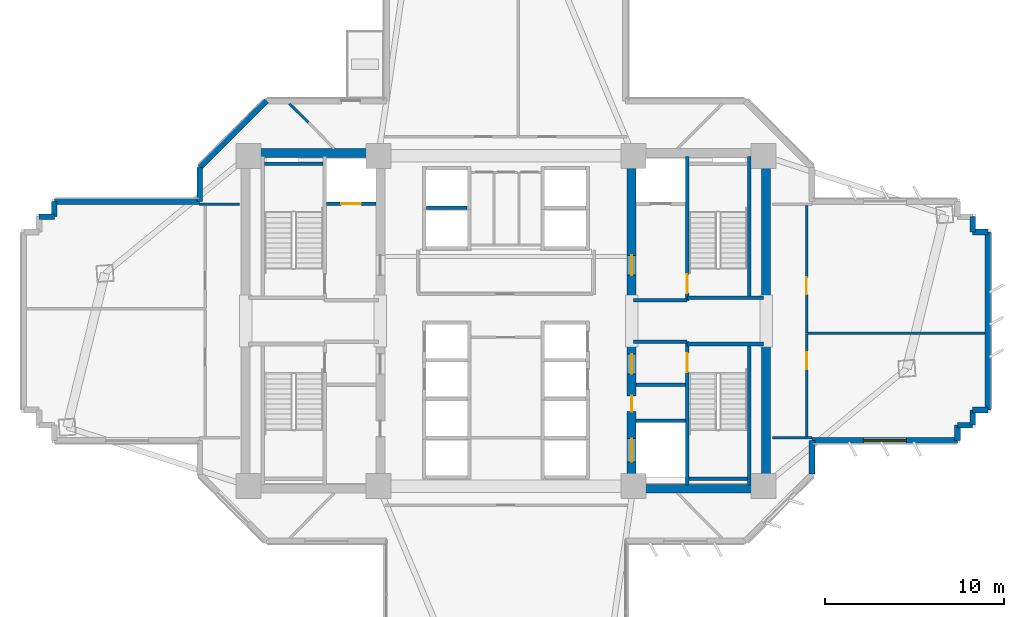
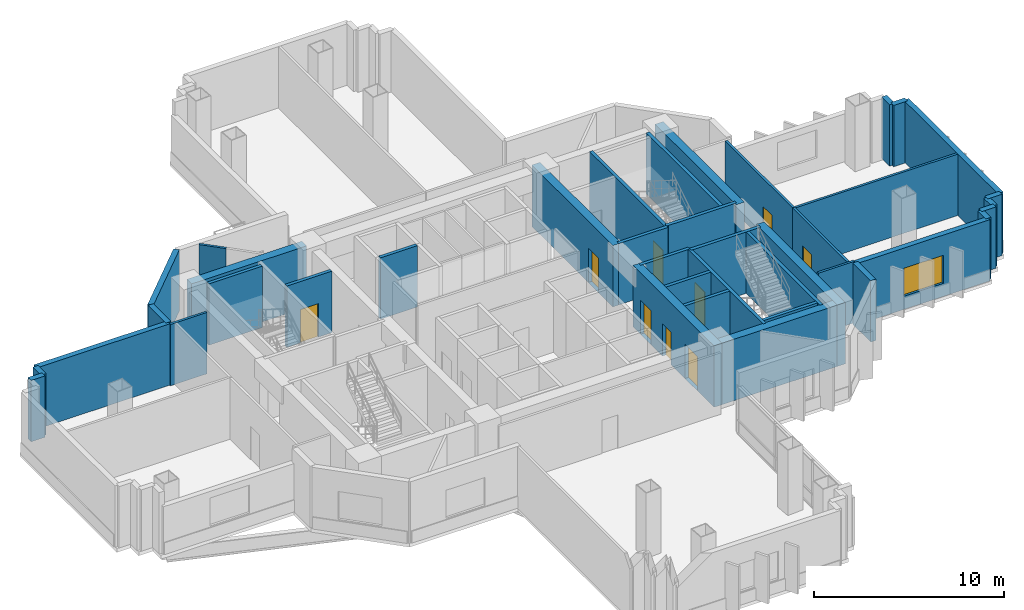
# One storey, part 7 of 14: 40 walls, 9 doors, 1 window, 10 openings.
"""IFC4 building model written with IfcOpenShell, lengths in metres."""

from ifc_helpers import new_model, si_unit, direction, frame, frame_2d, origin, place, context, subcontext, project, spatial, rectangle, extrude, source, transform, mapped, material, layer, layer_set, type_object, element, fill, save


model = new_model("IFC4")

# Units and contexts
model_context = context("Model", 3, precision=1e-05, world=origin(), true_north=direction((0.0, 1.0)))
body_context = subcontext(model_context, "Body", "Model", "MODEL_VIEW")
ifc_project = project(units=[si_unit("LENGTHUNIT", "METRE"), si_unit("AREAUNIT", "SQUARE_METRE"), si_unit("VOLUMEUNIT", "CUBIC_METRE"), si_unit("PLANEANGLEUNIT", "RADIAN"), si_unit("MASSUNIT", "GRAM", prefix="KILO")], contexts=[model_context])

# Site, building, storey
site_placement = place(None, origin())
site = spatial("IfcSite", under=ifc_project, at=site_placement, CompositionType="ELEMENT")
building_placement = place(site_placement, origin())
building = spatial("IfcBuilding", under=site, at=building_placement, Name="Zahravan Cultural Tower", CompositionType="ELEMENT")
storey_placement = place(building_placement, frame((0.0, 0.0, 37.5)))
storey = spatial("IfcBuildingStorey", under=building, at=storey_placement, Name="L07", CompositionType="ELEMENT", Elevation=37.5)

# Wall, openings, doors
ifc_material_1 = material(Name="Concrete C60/75", Category="concrete")
ifc_layer_1 = layer(ifc_material_1, 0.5)
ifc_layer_set_1 = layer_set([ifc_layer_1], Name="Concrete C60/75")
wall_type_1 = type_object("IfcWallType", Name="CW-SHEAR-500-C60", PredefinedType="SHEAR", material=ifc_layer_set_1)
wall_1_placement = place(storey_placement, frame((43.0, 17.39990234375, 0.0), z_axis=(0.0, 0.0, 1.0), x_axis=(0.0, 1.0, 0.0)))
wall_1 = element("IfcWall", 1, at=wall_1_placement, inside=storey, type_object=wall_type_1, Name="L07 Core Shear Wall CW-E-WS-L07", PredefinedType="SHEAR", context=body_context, shape_type="SweptSolid", body=[
    extrude(rectangle(XDim=8.550048828125, YDim=0.5, at=frame_2d((4.27490234375, 0.0))), origin(), (0.0, 0.0, 1.0), 3.949951171875),
])
opening_1_placement = place(wall_1_placement, frame((6.64990234375, 0.0, 0.0)))
opening_1 = element("IfcOpeningElement", 2, at=opening_1_placement, cuts=wall_1, Name="Opening D-L07-08", PredefinedType="OPENING", context=body_context, shape_type="SweptSolid", body=[
    extrude(rectangle(XDim=1.10009765625, YDim=2.199951171875, at=frame_2d((0.550048828125, 1.10009765625))), frame((0.0, 0.260009765625, 0.0), z_axis=(0.0, -1.0, 0.0), x_axis=(1.0, 0.0, 0.0)), (0.0, 0.0, 1.0), 0.52001953125),
])
opening_2_placement = place(wall_1_placement, frame((1.75, 0.0, 0.0)))
opening_2 = element("IfcOpeningElement", 3, at=opening_2_placement, cuts=wall_1, Name="Opening LD-L07-03", PredefinedType="OPENING", context=body_context, shape_type="SweptSolid", body=[
    extrude(rectangle(XDim=1.300048828125, YDim=2.199951171875, at=frame_2d((0.64990234375, 1.10009765625))), frame((0.0, 0.260009765625, 0.0), z_axis=(0.0, -1.0, 0.0), x_axis=(1.0, 0.0, 0.0)), (0.0, 0.0, 1.0), 0.52001953125),
])
opening_3_placement = place(wall_1_placement, frame((4.550048828125, 0.0, 0.0)))
opening_3 = element("IfcOpeningElement", 4, at=opening_3_placement, cuts=wall_1, Name="Opening D-L07-10", PredefinedType="OPENING", context=body_context, shape_type="SweptSolid", body=[
    extrude(rectangle(XDim=0.8798828125, YDim=2.10009765625, at=frame_2d((0.43994140625, 1.050048828125))), frame((0.0, 0.260009765625, 0.0), z_axis=(0.0, -1.0, 0.0), x_axis=(1.0, 0.0, 0.0)), (0.0, 0.0, 1.0), 0.52001953125),
])
ifc_material_2 = material(Name="Steel ASTM A572 Grade 50", Category="steel")
door_type_1 = type_object("IfcDoorType", Name="DR-LOBBY-1100", OperationType="NOTDEFINED", PredefinedType="DOOR", material=ifc_material_2)
shared_shape_1 = source(origin(), body_context, "Body", "SweptSolid", [
    extrude(rectangle(XDim=1.10009765625, YDim=2.199951171875, at=frame_2d((0.550048828125, 1.10009765625))), frame((0.0, 0.02490234375, 0.0), z_axis=(0.0, -1.0, 0.0), x_axis=(1.0, 0.0, 0.0)), (0.0, 0.0, 1.0), 0.050048828125),
])
door_1_placement = place(opening_1_placement, origin())
door_1 = element("IfcDoor", 5, at=door_1_placement, inside=storey, type_object=door_type_1, Name="L07 Door D-L07-08", OperationType="SINGLE_SWING_LEFT", OverallHeight=2.199951171875, OverallWidth=1.10009765625, PredefinedType="DOOR", context=body_context, shape_type="MappedRepresentation", body=[
    mapped(shared_shape_1, transform((0.0, 0.0, 0.0), x_axis=(1.0, 0.0, 0.0), y_axis=(0.0, 1.0, 0.0), z_axis=(0.0, 0.0, 1.0), scale=1.0)),
])
fill(opening_1, door_1)
door_type_2 = type_object("IfcDoorType", Name="DR-LIFT-1300", OperationType="DOUBLE_DOOR_SLIDING", PredefinedType="DOOR", material=ifc_material_2)
shared_shape_2 = source(origin(), body_context, "Body", "SweptSolid", [
    extrude(rectangle(XDim=1.300048828125, YDim=2.199951171875, at=frame_2d((0.64990234375, 1.10009765625))), frame((0.0, 0.02490234375, 0.0), z_axis=(0.0, -1.0, 0.0), x_axis=(1.0, 0.0, 0.0)), (0.0, 0.0, 1.0), 0.050048828125),
])
door_2_placement = place(opening_2_placement, origin())
door_2 = element("IfcDoor", 6, at=door_2_placement, inside=storey, type_object=door_type_2, Name="L07 Door LD-L07-03", OperationType="DOUBLE_DOOR_SLIDING", OverallHeight=2.199951171875, OverallWidth=1.300048828125, PredefinedType="DOOR", context=body_context, shape_type="MappedRepresentation", body=[
    mapped(shared_shape_2, transform((0.0, 0.0, 0.0), x_axis=(1.0, 0.0, 0.0), y_axis=(0.0, 1.0, 0.0), z_axis=(0.0, 0.0, 1.0), scale=1.0)),
])
fill(opening_2, door_2)
door_type_3 = type_object("IfcDoorType", Name="DR-SVC-880", OperationType="NOTDEFINED", PredefinedType="DOOR", material=ifc_material_2)
shared_shape_3 = source(origin(), body_context, "Body", "SweptSolid", [
    extrude(rectangle(XDim=0.8798828125, YDim=2.10009765625, at=frame_2d((0.43994140625, 1.050048828125))), frame((0.0, 0.02490234375, 0.0), z_axis=(0.0, -1.0, 0.0), x_axis=(1.0, 0.0, 0.0)), (0.0, 0.0, 1.0), 0.050048828125),
])
door_3_placement = place(opening_3_placement, origin())
door_3 = element("IfcDoor", 7, at=door_3_placement, inside=storey, type_object=door_type_3, Name="L07 Door D-L07-10", OperationType="SINGLE_SWING_LEFT", OverallHeight=2.10009765625, OverallWidth=0.8798828125, PredefinedType="DOOR", context=body_context, shape_type="MappedRepresentation", body=[
    mapped(shared_shape_3, transform((0.0, 0.0, 0.0), x_axis=(1.0, 0.0, 0.0), y_axis=(0.0, 1.0, 0.0), z_axis=(0.0, 0.0, 1.0), scale=1.0)),
])
fill(opening_3, door_3)

# Wall, opening, door
wall_2_placement = place(storey_placement, frame((43.0, 28.050048828125, 0.0), z_axis=(0.0, 0.0, 1.0), x_axis=(0.0, 1.0, 0.0)))
wall_2 = element("IfcWall", 8, at=wall_2_placement, inside=storey, type_object=wall_type_1, Name="L07 Core Shear Wall CW-E-WN-L07", PredefinedType="SHEAR", context=body_context, shape_type="SweptSolid", body=[
    extrude(rectangle(XDim=8.550048828125, YDim=0.5, at=frame_2d((4.27490234375, 0.0))), origin(), (0.0, 0.0, 1.0), 3.949951171875),
])
opening_4_placement = place(wall_2_placement, frame((1.5, 0.0, 0.0)))
opening_4 = element("IfcOpeningElement", 9, at=opening_4_placement, cuts=wall_2, Name="Opening D-L07-06", PredefinedType="OPENING", context=body_context, shape_type="SweptSolid", body=[
    extrude(rectangle(XDim=1.10009765625, YDim=2.199951171875, at=frame_2d((0.550048828125, 1.10009765625))), frame((0.0, 0.260009765625, 0.0), z_axis=(0.0, -1.0, 0.0), x_axis=(1.0, 0.0, 0.0)), (0.0, 0.0, 1.0), 0.52001953125),
])
door_4_placement = place(opening_4_placement, origin())
door_4 = element("IfcDoor", 10, at=door_4_placement, inside=storey, type_object=door_type_1, Name="L07 Door D-L07-06", OperationType="SINGLE_SWING_LEFT", OverallHeight=2.199951171875, OverallWidth=1.10009765625, PredefinedType="DOOR", context=body_context, shape_type="MappedRepresentation", body=[
    mapped(shared_shape_1, transform((0.0, 0.0, 0.0), x_axis=(1.0, 0.0, 0.0), y_axis=(0.0, 1.0, 0.0), z_axis=(0.0, 0.0, 1.0), scale=1.0)),
])
fill(opening_4, door_4)

# Wall, opening, window
ifc_material_3 = material(Name="Precast concrete C40/50", Category="concrete")
ifc_layer_2 = layer(ifc_material_3, 0.320068359375)
ifc_layer_set_2 = layer_set([ifc_layer_2], Name="Precast concrete C40/50")
wall_type_2 = type_object("IfcWallType", Name="EW-TC-320", PredefinedType="SOLIDWALL", material=ifc_layer_set_2)
wall_3_placement = place(storey_placement, frame((61.159912109375, 20.340087890625, 0.0), z_axis=(0.0, 0.0, 1.0), x_axis=(-1.0, 0.0, 0.0)))
wall_3 = element("IfcWall", 11, at=wall_3_placement, inside=storey, type_object=wall_type_2, Name="L07 Exterior Masonry Frame Wall 11", PredefinedType="SOLIDWALL", context=body_context, shape_type="SweptSolid", body=[
    extrude(rectangle(XDim=8.099853515625, YDim=0.320068359375, at=frame_2d((4.0498046875, 0.0))), origin(), (0.0, 0.0, 1.0), 3.949951171875),
])
opening_5_placement = place(wall_3_placement, frame((2.85009765625, 0.0, 0.85009765625)))
opening_5 = element("IfcOpeningElement", 12, at=opening_5_placement, cuts=wall_3, Name="Opening WN-01", PredefinedType="OPENING", context=body_context, shape_type="SweptSolid", body=[
    extrude(rectangle(XDim=2.39990234375, YDim=1.800048828125, at=frame_2d((1.199951171875, 0.89990234375))), frame((0.0, 0.169921875, 0.0), z_axis=(0.0, -1.0, 0.0), x_axis=(1.0, 0.0, 0.0)), (0.0, 0.0, 1.0), 0.340087890625),
])
ifc_material_4 = material(Name="Low-E solar-control double glazing", Category="glass")
window_type = type_object("IfcWindowType", Name="WN-REC-2400X1800", PartitioningType="DOUBLE_PANEL_VERTICAL", PredefinedType="WINDOW", material=ifc_material_4)
shared_shape_4 = source(origin(), body_context, "Body", "SweptSolid", [
    extrude(rectangle(XDim=2.39990234375, YDim=1.800048828125, at=frame_2d((1.199951171875, 0.89990234375))), frame((0.0, 0.030029296875, 0.0), z_axis=(0.0, -1.0, 0.0), x_axis=(1.0, 0.0, 0.0)), (0.0, 0.0, 1.0), 0.06005859375),
])
window_placement = place(opening_5_placement, origin())
window = element("IfcWindow", 13, at=window_placement, inside=storey, type_object=window_type, Name="L07 Recessed Solar Window 02", OverallHeight=1.800048828125, OverallWidth=2.39990234375, PartitioningType="DOUBLE_PANEL_VERTICAL", PredefinedType="WINDOW", context=body_context, shape_type="MappedRepresentation", body=[
    mapped(shared_shape_4, transform((0.0, 0.0, 0.0), x_axis=(1.0, 0.0, 0.0), y_axis=(0.0, 1.0, 0.0), z_axis=(0.0, 0.0, 1.0), scale=1.0)),
])
fill(opening_5, window)

# Wall, opening, door
ifc_material_5 = material(Name="Gypsum plasterboard partition")
ifc_layer_3 = layer(ifc_material_5, 0.139892578125)
ifc_layer_set_3 = layer_set([ifc_layer_3], Name="Gypsum plasterboard partition")
wall_type_3 = type_object("IfcWallType", Name="W-PART-140", PredefinedType="PARTITIONING", material=ifc_layer_set_3)
wall_4_placement = place(storey_placement, frame((52.75, 20.574951171875, 0.0), z_axis=(0.0, 0.0, 1.0), x_axis=(0.0, 1.0, 0.0)))
wall_4 = element("IfcWall", 14, at=wall_4_placement, inside=storey, type_object=wall_type_3, Name="L07 Interior Wall 085", PredefinedType="PARTITIONING", context=body_context, shape_type="SweptSolid", body=[
    extrude(rectangle(XDim=5.735107421875, YDim=0.139892578125, at=frame_2d((2.86767578125, 0.0))), origin(), (0.0, 0.0, 1.0), 3.949951171875),
])
opening_6_placement = place(wall_4_placement, frame((3.732421875, 0.0, 0.0)))
opening_6 = element("IfcOpeningElement", 15, at=opening_6_placement, cuts=wall_4, Name="Opening D-L07-16", PredefinedType="OPENING", context=body_context, shape_type="SweptSolid", body=[
    extrude(rectangle(XDim=0.949951171875, YDim=2.14990234375, at=frame_2d((0.47509765625, 1.074951171875))), frame((0.0, 0.079833984375, 0.0), z_axis=(0.0, -1.0, 0.0), x_axis=(1.0, 0.0, 0.0)), (0.0, 0.0, 1.0), 0.159912109375),
])
ifc_material_6 = material(Name="Anodised bronze-aluminium mullion", Category="aluminium")
door_type_4 = type_object("IfcDoorType", Name="DR-ROOM-950", OperationType="NOTDEFINED", PredefinedType="DOOR", material=ifc_material_6)
shared_shape_5 = source(origin(), body_context, "Body", "SweptSolid", [
    extrude(rectangle(XDim=0.949951171875, YDim=2.14990234375, at=frame_2d((0.47509765625, 1.074951171875))), frame((0.0, 0.02490234375, 0.0), z_axis=(0.0, -1.0, 0.0), x_axis=(1.0, 0.0, 0.0)), (0.0, 0.0, 1.0), 0.050048828125),
])
door_5_placement = place(opening_6_placement, origin())
door_5 = element("IfcDoor", 16, at=door_5_placement, inside=storey, type_object=door_type_4, Name="L07 Door D-L07-16", OperationType="SINGLE_SWING_LEFT", OverallHeight=2.14990234375, OverallWidth=0.949951171875, PredefinedType="DOOR", context=body_context, shape_type="MappedRepresentation", body=[
    mapped(shared_shape_5, transform((0.0, 0.0, 0.0), x_axis=(1.0, 0.0, 0.0), y_axis=(0.0, 1.0, 0.0), z_axis=(0.0, 0.0, 1.0), scale=1.0)),
])
fill(opening_6, door_5)

wall_5_placement = place(storey_placement, frame((52.75, 26.330078125, 0.0), z_axis=(0.0, 0.0, 1.0), x_axis=(-0.000137660459, 0.999999990525, 0.0)))
wall_5 = element("IfcWall", 17, at=wall_5_placement, inside=storey, type_object=wall_type_3, Name="L07 Interior Wall 090", PredefinedType="PARTITIONING", context=body_context, shape_type="SweptSolid", body=[
    extrude(rectangle(XDim=7.093994140625, YDim=0.139892578125, at=frame_2d((3.546875, 0.0))), origin(), (0.0, 0.0, 1.0), 3.949951171875),
])
opening_7_placement = place(wall_5_placement, frame((2.150390625, 0.0, 0.0)))
opening_7 = element("IfcOpeningElement", 18, at=opening_7_placement, cuts=wall_5, Name="Opening D-L07-17", PredefinedType="OPENING", context=body_context, shape_type="SweptSolid", body=[
    extrude(rectangle(XDim=0.949951171875, YDim=2.14990234375, at=frame_2d((0.47509765625, 1.074951171875))), frame((0.0, 0.079833984375, 0.0), z_axis=(0.0, -1.0, 0.0), x_axis=(1.0, 0.0, 0.0)), (0.0, 0.0, 1.0), 0.159912109375),
])
door_6_placement = place(opening_7_placement, origin())
door_6 = element("IfcDoor", 19, at=door_6_placement, inside=storey, type_object=door_type_4, Name="L07 Door D-L07-17", OperationType="SINGLE_SWING_RIGHT", OverallHeight=2.14990234375, OverallWidth=0.949951171875, PredefinedType="DOOR", context=body_context, shape_type="MappedRepresentation", body=[
    mapped(shared_shape_5, transform((0.0, 0.0, 0.0), x_axis=(1.0, 0.0, 0.0), y_axis=(0.0, 1.0, 0.0), z_axis=(0.0, 0.0, 1.0), scale=1.0)),
])
fill(opening_7, door_6)

ifc_material_7 = material(Name="Concrete C45/55", Category="concrete")
ifc_layer_4 = layer(ifc_material_7, 0.199951171875)
ifc_layer_set_4 = layer_set([ifc_layer_4], Name="Concrete C45/55")
wall_type_4 = type_object("IfcWallType", Name="W-SHAFT-200", PredefinedType="SOLIDWALL", material=ifc_layer_set_4)
wall_6_placement = place(storey_placement, frame((46.10009765625, 17.85009765625, 0.0), z_axis=(0.0, 0.0, 1.0), x_axis=(0.0, 1.0, 0.0)))
wall_6 = element("IfcWall", 20, at=wall_6_placement, inside=storey, type_object=wall_type_4, Name="L07 Interior Wall 007", PredefinedType="SOLIDWALL", context=body_context, shape_type="SweptSolid", body=[
    extrude(rectangle(XDim=8.0, YDim=0.199951171875, at=frame_2d((4.0, 0.0))), origin(), (0.0, 0.0, 1.0), 3.949951171875),
])
opening_8_placement = place(wall_6_placement, frame((6.300048828125, 0.0, 0.0)))
opening_8 = element("IfcOpeningElement", 21, at=opening_8_placement, cuts=wall_6, Name="Opening D-L07-03", PredefinedType="OPENING", context=body_context, shape_type="SweptSolid", body=[
    extrude(rectangle(XDim=1.050048828125, YDim=2.14990234375, at=frame_2d((0.52490234375, 1.074951171875))), frame((0.0, 0.10986328125, 0.0), z_axis=(0.0, -1.0, 0.0), x_axis=(1.0, 0.0, 0.0)), (0.0, 0.0, 1.0), 0.219970703125),
])
door_type_5 = type_object("IfcDoorType", Name="DR-STAIR-1050", OperationType="NOTDEFINED", PredefinedType="DOOR", material=ifc_material_2)
shared_shape_6 = source(origin(), body_context, "Body", "SweptSolid", [
    extrude(rectangle(XDim=1.050048828125, YDim=2.14990234375, at=frame_2d((0.52490234375, 1.074951171875))), frame((0.0, 0.02490234375, 0.0), z_axis=(0.0, -1.0, 0.0), x_axis=(1.0, 0.0, 0.0)), (0.0, 0.0, 1.0), 0.050048828125),
])
door_7_placement = place(opening_8_placement, origin())
door_7 = element("IfcDoor", 22, at=door_7_placement, inside=storey, type_object=door_type_5, Name="L07 Door D-L07-03", OperationType="SINGLE_SWING_RIGHT", OverallHeight=2.14990234375, OverallWidth=1.050048828125, PredefinedType="DOOR", context=body_context, shape_type="MappedRepresentation", body=[
    mapped(shared_shape_6, transform((0.0, 0.0, 0.0), x_axis=(1.0, 0.0, 0.0), y_axis=(0.0, 1.0, 0.0), z_axis=(0.0, 0.0, 1.0), scale=1.0)),
])
fill(opening_8, door_7)

wall_7_placement = place(storey_placement, frame((46.10009765625, 28.14990234375, 0.0), z_axis=(0.0, 0.0, 1.0), x_axis=(0.0, 1.0, 0.0)))
wall_7 = element("IfcWall", 23, at=wall_7_placement, inside=storey, type_object=wall_type_4, Name="L07 Interior Wall 008", PredefinedType="SOLIDWALL", context=body_context, shape_type="SweptSolid", body=[
    extrude(rectangle(XDim=8.0, YDim=0.199951171875, at=frame_2d((4.0, 0.0))), origin(), (0.0, 0.0, 1.0), 3.949951171875),
])
opening_9_placement = place(wall_7_placement, frame((0.39990234375, 0.0, 0.0)))
opening_9 = element("IfcOpeningElement", 24, at=opening_9_placement, cuts=wall_7, Name="Opening D-L07-02", PredefinedType="OPENING", context=body_context, shape_type="SweptSolid", body=[
    extrude(rectangle(XDim=1.050048828125, YDim=2.14990234375, at=frame_2d((0.52490234375, 1.074951171875))), frame((0.0, 0.10986328125, 0.0), z_axis=(0.0, -1.0, 0.0), x_axis=(1.0, 0.0, 0.0)), (0.0, 0.0, 1.0), 0.219970703125),
])
door_8_placement = place(opening_9_placement, origin())
door_8 = element("IfcDoor", 25, at=door_8_placement, inside=storey, type_object=door_type_5, Name="L07 Door D-L07-02", OperationType="SINGLE_SWING_LEFT", OverallHeight=2.14990234375, OverallWidth=1.050048828125, PredefinedType="DOOR", context=body_context, shape_type="MappedRepresentation", body=[
    mapped(shared_shape_6, transform((0.0, 0.0, 0.0), x_axis=(1.0, 0.0, 0.0), y_axis=(0.0, 1.0, 0.0), z_axis=(0.0, 0.0, 1.0), scale=1.0)),
])
fill(opening_9, door_8)

wall_8_placement = place(storey_placement, frame((26.0, 33.52001953125, 0.0), z_axis=(0.0, 0.0, 1.0), x_axis=(1.0, 0.0, 0.0)))
wall_8 = element("IfcWall", 26, at=wall_8_placement, inside=storey, type_object=wall_type_4, Name="L07 Interior Wall 021", PredefinedType="SOLIDWALL", context=body_context, shape_type="SweptSolid", body=[
    extrude(rectangle(XDim=2.75, YDim=0.199951171875, at=frame_2d((1.375, 0.0))), origin(), (0.0, 0.0, 1.0), 3.949951171875),
])
opening_10_placement = place(wall_8_placement, frame((0.820068359375, 0.0, 0.0)))
opening_10 = element("IfcOpeningElement", 27, at=opening_10_placement, cuts=wall_8, Name="Opening LD-L07-01", PredefinedType="OPENING", context=body_context, shape_type="SweptSolid", body=[
    extrude(rectangle(XDim=1.10009765625, YDim=2.14990234375, at=frame_2d((0.550048828125, 1.074951171875))), frame((0.0, 0.10986328125, 0.0), z_axis=(0.0, -1.0, 0.0), x_axis=(1.0, 0.0, 0.0)), (0.0, 0.0, 1.0), 0.219970703125),
])
door_type_6 = type_object("IfcDoorType", Name="DR-LIFT-1100", OperationType="DOUBLE_DOOR_SLIDING", PredefinedType="DOOR", material=ifc_material_2)
shared_shape_7 = source(origin(), body_context, "Body", "SweptSolid", [
    extrude(rectangle(XDim=1.10009765625, YDim=2.14990234375, at=frame_2d((0.550048828125, 1.074951171875))), frame((0.0, 0.02490234375, 0.0), z_axis=(0.0, -1.0, 0.0), x_axis=(1.0, 0.0, 0.0)), (0.0, 0.0, 1.0), 0.050048828125),
])
door_9_placement = place(opening_10_placement, origin())
door_9 = element("IfcDoor", 28, at=door_9_placement, inside=storey, type_object=door_type_6, Name="L07 Door LD-L07-01", OperationType="DOUBLE_DOOR_SLIDING", OverallHeight=2.14990234375, OverallWidth=1.10009765625, PredefinedType="DOOR", context=body_context, shape_type="MappedRepresentation", body=[
    mapped(shared_shape_7, transform((0.0, 0.0, 0.0), x_axis=(1.0, 0.0, 0.0), y_axis=(0.0, 1.0, 0.0), z_axis=(0.0, 0.0, 1.0), scale=1.0)),
])
fill(opening_10, door_9)

# Walls
shared_shape_8 = source(origin(), body_context, "Body", "SweptSolid", [
    extrude(rectangle(XDim=8.550048828125, YDim=0.5, at=frame_2d((4.27490234375, 0.0))), origin(), (0.0, 0.0, 1.0), 3.949951171875),
])
for number, where, z_axis, x_axis, name in (
    (29, (50.5, 17.39990234375, 0.0), (0.0, 0.0, 1.0), (0.0, 1.0, 0.0), "L07 Core Shear Wall CW-E-ES-L07"),
    (30, (50.5, 28.050048828125, 0.0), (0.0, 0.0, 1.0), (0.0, 1.0, 0.0), "L07 Core Shear Wall CW-E-EN-L07"),
):
    element("IfcWall", number, at=place(storey_placement, frame(where, z_axis=z_axis, x_axis=x_axis)), inside=storey, type_object=wall_type_1, Name=name, PredefinedType="SHEAR", context=body_context, shape_type="MappedRepresentation", body=[
        mapped(shared_shape_8, transform((0.0, 0.0, 0.0), x_axis=(1.0, 0.0, 0.0), y_axis=(0.0, 1.0, 0.0), z_axis=(0.0, 0.0, 1.0), scale=1.0)),
    ])
shared_shape_9 = source(origin(), body_context, "Body", "SweptSolid", [
    extrude(rectangle(XDim=7.0, YDim=0.5, at=frame_2d((3.5, 0.0))), origin(), (0.0, 0.0, 1.0), 3.949951171875),
])
for number, where, z_axis, x_axis, name in (
    (31, (21.75, 36.35009765625, 0.0), (0.0, 0.0, 1.0), (1.0, 0.0, 0.0), "L07 Core Shear Wall CW-W-N-L07"),
    (32, (43.25, 17.64990234375, 0.0), (0.0, 0.0, 1.0), (1.0, 0.0, 0.0), "L07 Core Shear Wall CW-E-S-L07"),
):
    element("IfcWall", number, at=place(storey_placement, frame(where, z_axis=z_axis, x_axis=x_axis)), inside=storey, type_object=wall_type_1, Name=name, PredefinedType="SHEAR", context=body_context, shape_type="MappedRepresentation", body=[
        mapped(shared_shape_9, transform((0.0, 0.0, 0.0), x_axis=(1.0, 0.0, 0.0), y_axis=(0.0, 1.0, 0.0), z_axis=(0.0, 0.0, 1.0), scale=1.0)),
    ])
shared_shape_10 = source(origin(), body_context, "Body", "SweptSolid", [
    extrude(rectangle(XDim=0.849853515625, YDim=0.320068359375, at=frame_2d((0.4248046875, 0.0))), origin(), (0.0, 0.0, 1.0), 3.949951171875),
])
for number, where, z_axis, x_axis, name in (
    (33, (61.159912109375, 21.18994140625, 0.0), (0.0, 0.0, 1.0), (0.0, -1.0, 0.0), "L07 Exterior Masonry Frame Wall 10"),
    (34, (10.840087890625, 32.81005859375, 0.0), (0.0, 0.0, 1.0), (0.0, 1.0, 0.0), "L07 Exterior Masonry Frame Wall 36"),
):
    element("IfcWall", number, at=place(storey_placement, frame(where, z_axis=z_axis, x_axis=x_axis)), inside=storey, type_object=wall_type_2, Name=name, PredefinedType="SOLIDWALL", context=body_context, shape_type="MappedRepresentation", body=[
        mapped(shared_shape_10, transform((0.0, 0.0, 0.0), x_axis=(1.0, 0.0, 0.0), y_axis=(0.0, 1.0, 0.0), z_axis=(0.0, 0.0, 1.0), scale=1.0)),
    ])
shared_shape_11 = source(origin(), body_context, "Body", "SweptSolid", [
    extrude(rectangle(XDim=0.85009765625, YDim=0.320068359375, at=frame_2d((0.425048828125, 0.0))), origin(), (0.0, 0.0, 1.0), 3.949951171875),
])
for number, where, z_axis, x_axis, name in (
    (35, (62.010009765625, 32.81005859375, 0.0), (0.0, 0.0, 1.0), (0.0, -1.0, 0.0), "L07 Exterior Masonry Frame Wall 04"),
    (36, (62.010009765625, 31.9599609375, 0.0), (0.0, 0.0, 1.0), (1.0, 0.0, 0.0), "L07 Exterior Masonry Frame Wall 05"),
    (37, (62.860107421875, 22.0400390625, 0.0), (0.0, 0.0, 1.0), (-1.0, 0.0, 0.0), "L07 Exterior Masonry Frame Wall 07"),
    (38, (62.010009765625, 22.0400390625, 0.0), (0.0, 0.0, 1.0), (0.0, -1.0, 0.0), "L07 Exterior Masonry Frame Wall 08"),
    (39, (62.010009765625, 21.18994140625, 0.0), (0.0, 0.0, 1.0), (-1.0, 0.0, 0.0), "L07 Exterior Masonry Frame Wall 09"),
    (40, (9.989990234375, 32.81005859375, 0.0), (0.0, 0.0, 1.0), (1.0, 0.0, 0.0), "L07 Exterior Masonry Frame Wall 35"),
):
    element("IfcWall", number, at=place(storey_placement, frame(where, z_axis=z_axis, x_axis=x_axis)), inside=storey, type_object=wall_type_2, Name=name, PredefinedType="SOLIDWALL", context=body_context, shape_type="MappedRepresentation", body=[
        mapped(shared_shape_11, transform((0.0, 0.0, 0.0), x_axis=(1.0, 0.0, 0.0), y_axis=(0.0, 1.0, 0.0), z_axis=(0.0, 0.0, 1.0), scale=1.0)),
    ])
shared_shape_12 = source(origin(), body_context, "Body", "SweptSolid", [
    extrude(rectangle(XDim=9.919921875, YDim=0.320068359375, at=frame_2d((4.9599609375, 0.0))), origin(), (0.0, 0.0, 1.0), 3.949951171875),
])
wall_9_placement = place(storey_placement, frame((62.860107421875, 31.9599609375, 0.0), z_axis=(0.0, 0.0, 1.0), x_axis=(0.0, -1.0, 0.0)))
element("IfcWall", 41, at=wall_9_placement, inside=storey, type_object=wall_type_2, Name="L07 Exterior Masonry Frame Wall 06", PredefinedType="SOLIDWALL", context=body_context, shape_type="MappedRepresentation", body=[
    mapped(shared_shape_12, transform((0.0, 0.0, 0.0), x_axis=(1.0, 0.0, 0.0), y_axis=(0.0, 1.0, 0.0), z_axis=(0.0, 0.0, 1.0), scale=1.0)),
])
shared_shape_13 = source(origin(), body_context, "Body", "SweptSolid", [
    extrude(rectangle(XDim=1.882080078125, YDim=0.320068359375, at=frame_2d((0.94091796875, 0.0))), origin(), (0.0, 0.0, 1.0), 3.949951171875),
])
for number, where, z_axis, x_axis, name in (
    (42, (53.06005859375, 20.340087890625, 0.0), (0.0, 0.0, 1.0), (0.0, -1.0, 0.0), "L07 Exterior Masonry Frame Wall 12"),
    (43, (18.93994140625, 33.659912109375, 0.0), (0.0, 0.0, 1.0), (0.0, 1.0, 0.0), "L07 Exterior Masonry Frame Wall 38"),
):
    element("IfcWall", number, at=place(storey_placement, frame(where, z_axis=z_axis, x_axis=x_axis)), inside=storey, type_object=wall_type_2, Name=name, PredefinedType="SOLIDWALL", context=body_context, shape_type="MappedRepresentation", body=[
        mapped(shared_shape_13, transform((0.0, 0.0, 0.0), x_axis=(1.0, 0.0, 0.0), y_axis=(0.0, 1.0, 0.0), z_axis=(0.0, 0.0, 1.0), scale=1.0)),
    ])
shared_shape_14 = source(origin(), body_context, "Body", "SweptSolid", [
    extrude(rectangle(XDim=8.099853515625, YDim=0.320068359375, at=frame_2d((4.0498046875, 0.0))), origin(), (0.0, 0.0, 1.0), 3.949951171875),
])
wall_10_placement = place(storey_placement, frame((10.840087890625, 33.659912109375, 0.0), z_axis=(0.0, 0.0, 1.0), x_axis=(1.0, 0.0, 0.0)))
element("IfcWall", 44, at=wall_10_placement, inside=storey, type_object=wall_type_2, Name="L07 Exterior Masonry Frame Wall 37", PredefinedType="SOLIDWALL", context=body_context, shape_type="MappedRepresentation", body=[
    mapped(shared_shape_14, transform((0.0, 0.0, 0.0), x_axis=(1.0, 0.0, 0.0), y_axis=(0.0, 1.0, 0.0), z_axis=(0.0, 0.0, 1.0), scale=1.0)),
])
shared_shape_15 = source(origin(), body_context, "Body", "SweptSolid", [
    extrude(rectangle(XDim=5.258056640625, YDim=0.320068359375, at=frame_2d((2.62890625, 0.0))), origin(), (0.0, 0.0, 1.0), 3.949951171875),
])
wall_11_placement = place(storey_placement, frame((18.93994140625, 35.5419921875, 0.0), z_axis=(0.0, 0.0, 1.0), x_axis=(0.707106781187, 0.707106781187, 0.0)))
element("IfcWall", 45, at=wall_11_placement, inside=storey, type_object=wall_type_2, Name="L07 Exterior Masonry Frame Wall 39", PredefinedType="SOLIDWALL", context=body_context, shape_type="MappedRepresentation", body=[
    mapped(shared_shape_15, transform((0.0, 0.0, 0.0), x_axis=(1.0, 0.0, 0.0), y_axis=(0.0, 1.0, 0.0), z_axis=(0.0, 0.0, 1.0), scale=1.0)),
])
shared_shape_16 = source(origin(), body_context, "Body", "SweptSolid", [
    extrude(rectangle(XDim=7.869873046875, YDim=0.199951171875, at=frame_2d((3.93505859375, 0.0))), origin(), (0.0, 0.0, 1.0), 3.949951171875),
])
for number, where, z_axis, x_axis, name in (
    (46, (49.550048828125, 17.85009765625, 0.0), (0.0, 0.0, 1.0), (0.0, 1.0, 0.0), "L07 Interior Wall 003"),
    (47, (49.550048828125, 28.280029296875, 0.0), (0.0, 0.0, 1.0), (0.0, 1.0, 0.0), "L07 Interior Wall 004"),
):
    element("IfcWall", number, at=place(storey_placement, frame(where, z_axis=z_axis, x_axis=x_axis)), inside=storey, type_object=wall_type_4, Name=name, PredefinedType="SOLIDWALL", context=body_context, shape_type="MappedRepresentation", body=[
        mapped(shared_shape_16, transform((0.0, 0.0, 0.0), x_axis=(1.0, 0.0, 0.0), y_axis=(0.0, 1.0, 0.0), z_axis=(0.0, 0.0, 1.0), scale=1.0)),
    ])
shared_shape_17 = source(origin(), body_context, "Body", "SweptSolid", [
    extrude(rectangle(XDim=4.25, YDim=0.199951171875, at=frame_2d((2.125, 0.0))), origin(), (0.0, 0.0, 1.0), 3.949951171875),
])
for number, where, z_axis, x_axis, name in (
    (48, (46.10009765625, 25.715087890625, 0.0), (0.0, 0.0, 1.0), (1.0, 0.0, 0.0), "L07 Interior Wall 014"),
    (49, (46.10009765625, 28.284912109375, 0.0), (0.0, 0.0, 1.0), (1.0, 0.0, 0.0), "L07 Interior Wall 016"),
):
    element("IfcWall", number, at=place(storey_placement, frame(where, z_axis=z_axis, x_axis=x_axis)), inside=storey, type_object=wall_type_4, Name=name, PredefinedType="SOLIDWALL", context=body_context, shape_type="MappedRepresentation", body=[
        mapped(shared_shape_17, transform((0.0, 0.0, 0.0), x_axis=(1.0, 0.0, 0.0), y_axis=(0.0, 1.0, 0.0), z_axis=(0.0, 0.0, 1.0), scale=1.0)),
    ])
shared_shape_18 = source(origin(), body_context, "Body", "SweptSolid", [
    extrude(rectangle(XDim=3.0, YDim=0.199951171875, at=frame_2d((1.5, 0.0))), origin(), (0.0, 0.0, 1.0), 3.949951171875),
])
for number, where, z_axis, x_axis, name in (
    (50, (43.10009765625, 25.85009765625, 0.0), (0.0, 0.0, 1.0), (1.0, 0.0, 0.0), "L07 Interior Wall 013"),
    (51, (43.10009765625, 28.14990234375, 0.0), (0.0, 0.0, 1.0), (1.0, 0.0, 0.0), "L07 Interior Wall 015"),
):
    element("IfcWall", number, at=place(storey_placement, frame(where, z_axis=z_axis, x_axis=x_axis)), inside=storey, type_object=wall_type_4, Name=name, PredefinedType="SOLIDWALL", context=body_context, shape_type="MappedRepresentation", body=[
        mapped(shared_shape_18, transform((0.0, 0.0, 0.0), x_axis=(1.0, 0.0, 0.0), y_axis=(0.0, 1.0, 0.0), z_axis=(0.0, 0.0, 1.0), scale=1.0)),
    ])
shared_shape_19 = source(origin(), body_context, "Body", "SweptSolid", [
    extrude(rectangle(XDim=3.25, YDim=0.199951171875, at=frame_2d((1.625, 0.0))), origin(), (0.0, 0.0, 1.0), 3.949951171875),
])
for number, where, z_axis, x_axis, name in (
    (52, (22.550048828125, 35.75, 0.0), (0.0, 0.0, 1.0), (1.0, 0.0, 0.0), "L07 Interior Wall 017"),
    (53, (46.199951171875, 18.199951171875, 0.0), (0.0, 0.0, 1.0), (1.0, 0.0, 0.0), "L07 Interior Wall 020"),
):
    element("IfcWall", number, at=place(storey_placement, frame(where, z_axis=z_axis, x_axis=x_axis)), inside=storey, type_object=wall_type_4, Name=name, PredefinedType="SOLIDWALL", context=body_context, shape_type="MappedRepresentation", body=[
        mapped(shared_shape_19, transform((0.0, 0.0, 0.0), x_axis=(1.0, 0.0, 0.0), y_axis=(0.0, 1.0, 0.0), z_axis=(0.0, 0.0, 1.0), scale=1.0)),
    ])
shared_shape_20 = source(origin(), body_context, "Body", "SweptSolid", [
    extrude(rectangle(XDim=2.75, YDim=0.199951171875, at=frame_2d((1.375, 0.0))), origin(), (0.0, 0.0, 1.0), 3.949951171875),
])
for number, where, z_axis, x_axis, name in (
    (54, (43.25, 23.449951171875, 0.0), (0.0, 0.0, 1.0), (1.0, 0.0, 0.0), "L07 Interior Wall 024"),
    (55, (43.25, 21.449951171875, 0.0), (0.0, 0.0, 1.0), (1.0, 0.0, 0.0), "L07 Interior Wall 025"),
):
    element("IfcWall", number, at=place(storey_placement, frame(where, z_axis=z_axis, x_axis=x_axis)), inside=storey, type_object=wall_type_4, Name=name, PredefinedType="SOLIDWALL", context=body_context, shape_type="MappedRepresentation", body=[
        mapped(shared_shape_20, transform((0.0, 0.0, 0.0), x_axis=(1.0, 0.0, 0.0), y_axis=(0.0, 1.0, 0.0), z_axis=(0.0, 0.0, 1.0), scale=1.0)),
    ])
shared_shape_21 = source(origin(), body_context, "Body", "SweptSolid", [
    extrude(rectangle(XDim=2.260009765625, YDim=0.199951171875, at=frame_2d((1.1298828125, 0.0))), origin(), (0.0, 0.0, 1.0), 3.949951171875),
])
wall_12_placement = place(storey_placement, frame((31.570068359375, 33.300048828125, 0.0), z_axis=(0.0, 0.0, 1.0), x_axis=(1.0, 0.0, 0.0)))
element("IfcWall", 56, at=wall_12_placement, inside=storey, type_object=wall_type_4, Name="L07 Interior Wall 028", PredefinedType="SOLIDWALL", context=body_context, shape_type="MappedRepresentation", body=[
    mapped(shared_shape_21, transform((0.0, 0.0, 0.0), x_axis=(1.0, 0.0, 0.0), y_axis=(0.0, 1.0, 0.0), z_axis=(0.0, 0.0, 1.0), scale=1.0)),
])
shared_shape_22 = source(origin(), body_context, "Body", "SweptSolid", [
    extrude(rectangle(XDim=1.471435546875, YDim=0.139892578125, at=frame_2d((0.73583984375, 0.0))), origin(), (0.0, 0.0, 1.0), 3.949951171875),
])
wall_13_placement = place(storey_placement, frame((23.944580078125, 39.094970703125, 0.0), z_axis=(0.0, 0.0, 1.0), x_axis=(0.710417151562, -0.703780840011, 0.0)))
element("IfcWall", 57, at=wall_13_placement, inside=storey, type_object=wall_type_3, Name="L07 Interior Wall 081", PredefinedType="PARTITIONING", context=body_context, shape_type="MappedRepresentation", body=[
    mapped(shared_shape_22, transform((0.0, 0.0, 0.0), x_axis=(1.0, 0.0, 0.0), y_axis=(0.0, 1.0, 0.0), z_axis=(0.0, 0.0, 1.0), scale=1.0)),
])
shared_shape_23 = source(origin(), body_context, "Body", "SweptSolid", [
    extrude(rectangle(XDim=2.21435546875, YDim=0.139892578125, at=frame_2d((1.107177734375, 0.0))), origin(), (0.0, 0.0, 1.0), 3.949951171875),
])
wall_14_placement = place(storey_placement, frame((21.1494140625, 33.49658203125, 0.0), z_axis=(0.0, 0.0, 1.0), x_axis=(-0.999999993922, -0.000110253583, 0.0)))
element("IfcWall", 58, at=wall_14_placement, inside=storey, type_object=wall_type_3, Name="L07 Interior Wall 083", PredefinedType="PARTITIONING", context=body_context, shape_type="MappedRepresentation", body=[
    mapped(shared_shape_23, transform((0.0, 0.0, 0.0), x_axis=(1.0, 0.0, 0.0), y_axis=(0.0, 1.0, 0.0), z_axis=(0.0, 0.0, 1.0), scale=1.0)),
])
shared_shape_24 = source(origin(), body_context, "Body", "SweptSolid", [
    extrude(rectangle(XDim=2.21240234375, YDim=0.139892578125, at=frame_2d((1.106201171875, 0.0))), origin(), (0.0, 0.0, 1.0), 3.949951171875),
])
wall_15_placement = place(storey_placement, frame((50.8525390625, 20.50244140625, 0.0), z_axis=(0.0, 0.0, 1.0), x_axis=(0.999999123234, -0.00132420983, 0.0)))
element("IfcWall", 59, at=wall_15_placement, inside=storey, type_object=wall_type_3, Name="L07 Interior Wall 084", PredefinedType="PARTITIONING", context=body_context, shape_type="MappedRepresentation", body=[
    mapped(shared_shape_24, transform((0.0, 0.0, 0.0), x_axis=(1.0, 0.0, 0.0), y_axis=(0.0, 1.0, 0.0), z_axis=(0.0, 0.0, 1.0), scale=1.0)),
])
shared_shape_25 = source(origin(), body_context, "Body", "SweptSolid", [
    extrude(rectangle(XDim=9.8701171875, YDim=0.139892578125, at=frame_2d((4.93505859375, 0.0))), origin(), (0.0, 0.0, 1.0), 3.949951171875),
])
wall_16_placement = place(storey_placement, frame((52.824951171875, 26.31005859375, 0.0), z_axis=(0.0, 0.0, 1.0), x_axis=(1.0, 0.0, 0.0)))
element("IfcWall", 60, at=wall_16_placement, inside=storey, type_object=wall_type_3, Name="L07 Interior Wall 086", PredefinedType="PARTITIONING", context=body_context, shape_type="MappedRepresentation", body=[
    mapped(shared_shape_25, transform((0.0, 0.0, 0.0), x_axis=(1.0, 0.0, 0.0), y_axis=(0.0, 1.0, 0.0), z_axis=(0.0, 0.0, 1.0), scale=1.0)),
])

save(model, "model.ifc")
